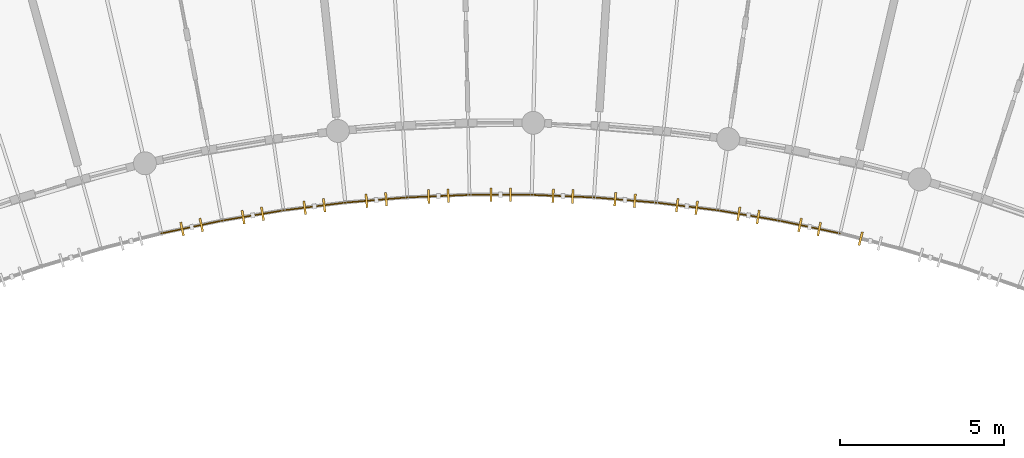
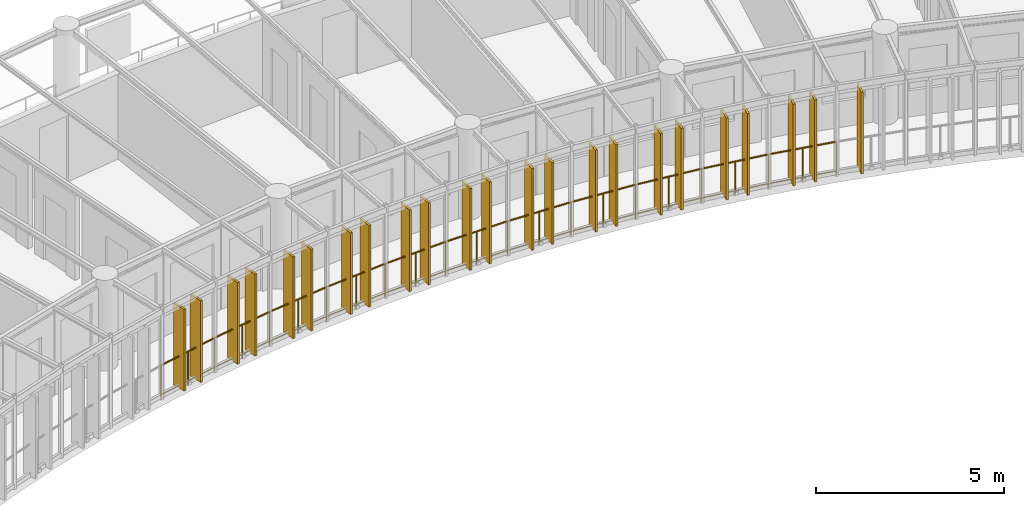
# One storey, part 132 of 137: 23 shading devices, 11 railings.
"""IFC4 building model written with IfcOpenShell, lengths in metres."""

import ifcopenshell
import ifcopenshell.guid

model = None  # the IFC model being written
_history = None  # IfcOwnerHistory: only IFC2X3 demands one
_inside = {}  # id of a spatial element -> (the spatial element, [elements in it])
_under = {}  # id of a project, library or spatial element -> (it, [spatial elements below it])
_declared = {}  # id of a project -> (the project, [libraries it declares])
_typed = {}  # id of a type object -> (the type object, [elements of that type])
_made_of = {}  # id of a material, layer set ... -> (it, [elements and type objects made of it])


def new_model(schema):
    """Start an empty IFC model of exactly this schema.

    Asked for "IFC4X3", IfcOpenShell would pick the latest addendum, in which some entities
    have other attributes; the version numbers below select the first issue.
    IFC2X3 requires an IfcOwnerHistory on every rooted entity: one is made here for all.
    """
    global model, _history
    if schema == "IFC4X3":
        model = ifcopenshell.file(schema_version=(4, 3, 0, 0))
    else:
        model = ifcopenshell.file(schema=schema)
    _inside.clear()
    _under.clear()
    _declared.clear()
    _typed.clear()
    _made_of.clear()
    _history = None
    if model.schema == "IFC2X3":
        org = make("IfcOrganization", Name="unknown")
        user = make(
            "IfcPersonAndOrganization",
            ThePerson=make("IfcPerson", FamilyName="unknown"),
            TheOrganization=org,
        )
        app = make(
            "IfcApplication",
            ApplicationDeveloper=org,
            Version="unknown",
            ApplicationFullName="unknown",
            ApplicationIdentifier="unknown",
        )
        _history = make(
            "IfcOwnerHistory",
            OwningUser=user,
            OwningApplication=app,
            ChangeAction="ADDED",
            CreationDate=0,
        )
    return model


def make(cls, **values):
    """One entity of the class cls with the attributes given. An attribute that is None is left unset."""
    return model.create_entity(
        cls, **{name: value for name, value in values.items() if value is not None}
    )


def rooted(cls, **values):
    """An entity with a GlobalId (a new one), such as an element, a storey or a relation."""
    return make(cls, GlobalId=ifcopenshell.guid.new(), OwnerHistory=_history, **values)


def si_unit(unit_type, name, prefix=None):
    """IfcSIUnit, for example si_unit("LENGTHUNIT", "METRE", prefix="MILLI")."""
    return make("IfcSIUnit", UnitType=unit_type, Prefix=prefix, Name=name)


def assignment(units):
    """IfcUnitAssignment: the units of a project."""
    return None if units is None else make("IfcUnitAssignment", Units=units)


def point(xyz):
    """IfcCartesianPoint."""
    return None if xyz is None else make("IfcCartesianPoint", Coordinates=xyz)


def direction(xyz):
    """IfcDirection."""
    return None if xyz is None else make("IfcDirection", DirectionRatios=xyz)


def frame(location, z_axis=None, x_axis=None):
    """IfcAxis2Placement3D, a coordinate frame: its origin and axes. An axis left out is left unset."""
    return make(
        "IfcAxis2Placement3D",
        Location=point(location),
        Axis=direction(z_axis),
        RefDirection=direction(x_axis),
    )


def frame_2d(location, x_axis=None):
    """IfcAxis2Placement2D, a coordinate frame in the plane: its origin and x axis."""
    return make(
        "IfcAxis2Placement2D", Location=point(location), RefDirection=direction(x_axis)
    )


def origin():
    """The frame at (0, 0, 0) with its axes left unset."""
    return frame((0.0, 0.0, 0.0))


def origin_2d():
    """The frame at (0, 0) in the plane with its x axis left unset."""
    return frame_2d((0.0, 0.0))


def place(relative_to, where):
    """IfcLocalPlacement: puts the frame where relative to a parent placement (None: the world)."""
    return make(
        "IfcLocalPlacement", PlacementRelTo=relative_to, RelativePlacement=where
    )


def context(
    kind, dimensions, precision=None, world=None, true_north=None, identifier=None
):
    """IfcGeometricRepresentationContext, for example the 3D "Model" context."""
    return make(
        "IfcGeometricRepresentationContext",
        ContextIdentifier=identifier,
        ContextType=kind,
        CoordinateSpaceDimension=dimensions,
        Precision=precision,
        WorldCoordinateSystem=world,
        TrueNorth=true_north,
    )


def subcontext(parent, identifier, kind, view, scale=None):
    """IfcGeometricRepresentationSubContext, for example "Body" below "Model"."""
    return make(
        "IfcGeometricRepresentationSubContext",
        ContextIdentifier=identifier,
        ContextType=kind,
        ParentContext=parent,
        TargetScale=scale,
        TargetView=view,
    )


def project(units=None, contexts=None):
    """IfcProject with its units and contexts."""
    return rooted(
        "IfcProject",
        Name="project",
        RepresentationContexts=contexts,
        UnitsInContext=assignment(units),
    )


def spatial(cls, under=None, at=None, **own):
    """A site, building, storey or space (cls), placed at a placement, below another one or the project."""
    s = rooted(cls, ObjectPlacement=at, **own)
    if under is not None:
        _under.setdefault(under.id(), (under, []))[1].append(s)
    return s


def profile(cls, at=None, kind="AREA", **sizes):
    """A parametric profile (cls). Its sizes go by their IFC names, for example OverallWidth=200.0."""
    return make(cls, ProfileType=kind, Position=at, **sizes)


def rectangle(**sizes):
    """IfcRectangleProfileDef."""
    return profile("IfcRectangleProfileDef", **sizes)


def circle(**sizes):
    """IfcCircleProfileDef."""
    return profile("IfcCircleProfileDef", **sizes)


def extrude(swept, where, along, depth):
    """IfcExtrudedAreaSolid: the profile swept, set in the frame where, extruded along a direction by depth."""
    return make(
        "IfcExtrudedAreaSolid",
        SweptArea=swept,
        Position=where,
        ExtrudedDirection=direction(along),
        Depth=depth,
    )


def shape(context_of_items, identifier, shape_type, items):
    """IfcShapeRepresentation: the items that make up one representation, for example the "Body"."""
    return make(
        "IfcShapeRepresentation",
        ContextOfItems=context_of_items,
        RepresentationIdentifier=identifier,
        RepresentationType=shape_type,
        Items=items,
    )


def material(Name=None, Category=None):
    """IfcMaterial."""
    return make("IfcMaterial", Name=Name, Category=Category)


def layer(
    of_material, thickness, ventilated=None, Name=None, Category=None, Priority=None
):
    """IfcMaterialLayer: one layer of a wall or slab, of a material (None: an air gap)."""
    return make(
        "IfcMaterialLayer",
        Material=of_material,
        LayerThickness=thickness,
        IsVentilated=ventilated,
        Name=Name,
        Category=Category,
        Priority=Priority,
    )


def layer_set(layers, Name=None):
    """IfcMaterialLayerSet."""
    return make("IfcMaterialLayerSet", MaterialLayers=layers, LayerSetName=Name)


def made_of(thing, what):
    """Note that an element or type object is made of a material, layer set ...; save() writes the relation."""
    if what is not None:
        _made_of.setdefault(what.id(), (what, []))[1].append(thing)
    return thing


def type_object(cls, material=None, **own):
    """A type object (cls), such as IfcWallType, which elements share."""
    return made_of(rooted(cls, **own), material)


def element(
    cls,
    number,
    at=None,
    inside=None,
    cuts=None,
    type_object=None,
    material=None,
    context=None,
    identifier="Body",
    shape_type=None,
    held_by="IfcProductDefinitionShape",
    body=None,
    shapes=None,
    **own,
):
    """One element of the class cls, such as IfcWall. Its Tag is "e" and its number.

    at: its placement. inside: the storey or other place that contains it. cuts: it is an
    opening in that element (IfcRelVoidsElement). A single representation is given by context,
    identifier, shape_type and body (its items); several are given by shapes. held_by: the class
    of the entity that holds the representations. save() writes the other relations.
    """
    e = rooted(cls, Tag="e%d" % number, ObjectPlacement=at, **own)
    if body is not None:
        shapes = [shape(context, identifier, shape_type, body)]
    if shapes is not None:
        e.Representation = make(held_by, Representations=shapes)
    if inside is not None:
        _inside.setdefault(inside.id(), (inside, []))[1].append(e)
    if cuts is not None:
        rooted(
            "IfcRelVoidsElement", RelatingBuildingElement=cuts, RelatedOpeningElement=e
        )
    if type_object is not None:
        _typed.setdefault(type_object.id(), (type_object, []))[1].append(e)
    return made_of(e, material)


def aggregate(whole, parts):
    """IfcRelAggregates: a whole, such as a stair, and the parts it consists of."""
    return rooted("IfcRelAggregates", RelatingObject=whole, RelatedObjects=parts)


def save(model, path):
    """Write the relations noted so far, then the file.

    IfcRelAggregates (storeys below a building ...), IfcRelContainedInSpatialStructure (elements
    in a storey), IfcRelDefinesByType, IfcRelAssociatesMaterial and IfcRelDeclares: one each for
    every whole, place, type object, material and project.
    """
    for whole, parts in _under.values():
        aggregate(whole, parts)
    for where, things in _inside.values():
        rooted(
            "IfcRelContainedInSpatialStructure",
            RelatedElements=things,
            RelatingStructure=where,
        )
    for kind, things in _typed.values():
        rooted("IfcRelDefinesByType", RelatedObjects=things, RelatingType=kind)
    for what, things in _made_of.values():
        rooted("IfcRelAssociatesMaterial", RelatedObjects=things, RelatingMaterial=what)
    for by, libraries in _declared.values():
        rooted("IfcRelDeclares", RelatingContext=by, RelatedDefinitions=libraries)
    model.write(path)


model = new_model("IFC4")

# Units and contexts
model_context = context("Model", 3, precision=1e-05, world=origin(), true_north=direction((0.0, 1.0)))
body_context = subcontext(model_context, "Body", "Model", "MODEL_VIEW")
ifc_project = project(units=[si_unit("LENGTHUNIT", "METRE"), si_unit("AREAUNIT", "SQUARE_METRE"), si_unit("VOLUMEUNIT", "CUBIC_METRE"), si_unit("PLANEANGLEUNIT", "RADIAN"), si_unit("MASSUNIT", "GRAM", prefix="KILO"), si_unit("POWERUNIT", "WATT"), si_unit("THERMODYNAMICTEMPERATUREUNIT", "KELVIN")], contexts=[model_context])

# Site, building, storey
site_placement = place(None, origin())
site = spatial("IfcSite", under=ifc_project, at=site_placement, CompositionType="ELEMENT")
building_placement = place(site_placement, origin())
building = spatial("IfcBuilding", under=site, at=building_placement, Name="Ruvembo Vaulted Housing Court", CompositionType="ELEMENT")
storey_placement = place(building_placement, frame((0.0, 0.0, 4.5)))
storey = spatial("IfcBuildingStorey", under=building, at=storey_placement, Name="L01", CompositionType="ELEMENT", Elevation=4.5)

# Railings
ifc_material_1 = material(Name="Galvanised Painted Steel S275", Category="steel")
ifc_layer = layer(ifc_material_1, 0.06005859375, Name="Galvanised Painted Steel S275")
ifc_layer_set = layer_set([ifc_layer], Name="Galvanised Painted Steel S275")
railing_type = type_object("IfcRailingType", Name="RL-GUARD-1100", PredefinedType="GUARDRAIL", material=ifc_layer_set)
railing_1_placement = place(storey_placement, frame((106.634033203125, 94.611572265625, 0.0)))
element("IfcRailing", 1, at=railing_1_placement, inside=storey, type_object=railing_type, Name="L01 Perimeter Guard RL-EXT-L01-0564", PredefinedType="GUARDRAIL", context=body_context, shape_type="SweptSolid", body=[
    extrude(circle(Radius=0.02392578125, at=origin_2d()), frame((0.0, 0.0, 1.076171875), z_axis=(0.978529342624, 0.206107558387, 0.0), x_axis=(-0.206107558387, 0.978529342624, 0.0)), (0.0, 0.0, 1.0), 1.901123046875),
    extrude(circle(Radius=0.01806640625, at=origin_2d()), frame((0.0, 0.0, 0.1201171875), z_axis=(0.978529342624, 0.206107558387, 0.0), x_axis=(-0.206107558387, 0.978529342624, 0.0)), (0.0, 0.0, 1.0), 1.901123046875),
    extrude(circle(Radius=0.02099609375, at=origin_2d()), origin(), (0.0, 0.0, 1.0), 1.052001953125),
    extrude(circle(Radius=0.02099609375, at=origin_2d()), frame((0.93017578125, 0.19580078125, 0.0)), (0.0, 0.0, 1.0), 1.052001953125),
    extrude(circle(Radius=0.02099609375, at=origin_2d()), frame((1.8603515625, 0.391845703125, 0.0)), (0.0, 0.0, 1.0), 1.052001953125),
])
railing_2_placement = place(storey_placement, frame((108.494384765625, 95.00341796875, 0.0)))
element("IfcRailing", 2, at=railing_2_placement, inside=storey, type_object=railing_type, Name="L01 Perimeter Guard RL-EXT-L01-0565", PredefinedType="GUARDRAIL", context=body_context, shape_type="SweptSolid", body=[
    extrude(circle(Radius=0.02392578125, at=origin_2d()), frame((0.0, 0.0, 1.076171875), z_axis=(0.986265186139, 0.165169557153, 0.0), x_axis=(-0.165169557153, 0.986265186139, 0.0)), (0.0, 0.0, 1.0), 1.90087890625),
    extrude(circle(Radius=0.01806640625, at=origin_2d()), frame((0.0, 0.0, 0.1201171875), z_axis=(0.986265186139, 0.165169557153, 0.0), x_axis=(-0.165169557153, 0.986265186139, 0.0)), (0.0, 0.0, 1.0), 1.90087890625),
    extrude(circle(Radius=0.02099609375, at=origin_2d()), origin(), (0.0, 0.0, 1.0), 1.052001953125),
    extrude(circle(Radius=0.02099609375, at=origin_2d()), frame((0.9375, 0.156982421875, 0.0)), (0.0, 0.0, 1.0), 1.052001953125),
    extrude(circle(Radius=0.02099609375, at=origin_2d()), frame((1.874755859375, 0.31396484375, 0.0)), (0.0, 0.0, 1.0), 1.052001953125),
])
railing_3_placement = place(storey_placement, frame((110.369140625, 95.3173828125, 0.0)))
element("IfcRailing", 3, at=railing_3_placement, inside=storey, type_object=railing_type, Name="L01 Perimeter Guard RL-EXT-L01-0566", PredefinedType="GUARDRAIL", context=body_context, shape_type="SweptSolid", body=[
    extrude(circle(Radius=0.02392578125, at=origin_2d()), frame((0.0, 0.0, 1.076171875), z_axis=(0.992244255502, 0.124303408739, 0.0), x_axis=(-0.124303408739, 0.992244255502, 0.0)), (0.0, 0.0, 1.0), 1.901123046875),
    extrude(circle(Radius=0.01806640625, at=origin_2d()), frame((0.0, 0.0, 0.1201171875), z_axis=(0.992244255502, 0.124303408739, 0.0), x_axis=(-0.124303408739, 0.992244255502, 0.0)), (0.0, 0.0, 1.0), 1.901123046875),
    extrude(circle(Radius=0.02099609375, at=origin_2d()), origin(), (0.0, 0.0, 1.0), 1.052001953125),
    extrude(circle(Radius=0.02099609375, at=origin_2d()), frame((0.943359375, 0.1181640625, 0.0)), (0.0, 0.0, 1.0), 1.052001953125),
    extrude(circle(Radius=0.02099609375, at=origin_2d()), frame((1.886474609375, 0.236328125, 0.0)), (0.0, 0.0, 1.0), 1.052001953125),
])
railing_4_placement = place(storey_placement, frame((112.255615234375, 95.5537109375, 0.0)))
element("IfcRailing", 4, at=railing_4_placement, inside=storey, type_object=railing_type, Name="L01 Perimeter Guard RL-EXT-L01-0567", PredefinedType="GUARDRAIL", context=body_context, shape_type="SweptSolid", body=[
    extrude(circle(Radius=0.02392578125, at=origin_2d()), frame((0.0, 0.0, 1.076171875), z_axis=(0.99656344911, 0.082832915551, 0.0), x_axis=(-0.082832915551, 0.99656344911, 0.0)), (0.0, 0.0, 1.0), 1.901123046875),
    extrude(circle(Radius=0.01806640625, at=origin_2d()), frame((0.0, 0.0, 0.1201171875), z_axis=(0.99656344911, 0.082832915551, 0.0), x_axis=(-0.082832915551, 0.99656344911, 0.0)), (0.0, 0.0, 1.0), 1.901123046875),
    extrude(circle(Radius=0.02099609375, at=origin_2d()), origin(), (0.0, 0.0, 1.0), 1.052001953125),
    extrude(circle(Radius=0.02099609375, at=origin_2d()), frame((0.947265625, 0.07861328125, 0.0)), (0.0, 0.0, 1.0), 1.052001953125),
    extrude(circle(Radius=0.02099609375, at=origin_2d()), frame((1.89453125, 0.157470703125, 0.0)), (0.0, 0.0, 1.0), 1.052001953125),
])
railing_5_placement = place(storey_placement, frame((114.150146484375, 95.711181640625, 0.0)))
element("IfcRailing", 5, at=railing_5_placement, inside=storey, type_object=railing_type, Name="L01 Perimeter Guard RL-EXT-L01-0568", PredefinedType="GUARDRAIL", context=body_context, shape_type="SweptSolid", body=[
    extrude(circle(Radius=0.02392578125, at=origin_2d()), frame((0.0, 0.0, 1.076171875), z_axis=(0.999139293915, 0.041480975827, 0.0), x_axis=(-0.041480975827, 0.999139293915, 0.0)), (0.0, 0.0, 1.0), 1.901123046875),
    extrude(circle(Radius=0.01806640625, at=origin_2d()), frame((0.0, 0.0, 0.1201171875), z_axis=(0.999139293915, 0.041480975827, 0.0), x_axis=(-0.041480975827, 0.999139293915, 0.0)), (0.0, 0.0, 1.0), 1.901123046875),
    extrude(circle(Radius=0.02099609375, at=origin_2d()), origin(), (0.0, 0.0, 1.0), 1.052001953125),
    extrude(circle(Radius=0.02099609375, at=origin_2d()), frame((0.94970703125, 0.03955078125, 0.0)), (0.0, 0.0, 1.0), 1.052001953125),
    extrude(circle(Radius=0.02099609375, at=origin_2d()), frame((1.8994140625, 0.078857421875, 0.0)), (0.0, 0.0, 1.0), 1.052001953125),
])
railing_6_placement = place(storey_placement, frame((116.049560546875, 95.7900390625, 0.0)))
element("IfcRailing", 6, at=railing_6_placement, inside=storey, type_object=railing_type, Name="L01 Perimeter Guard RL-EXT-L01-0569", PredefinedType="GUARDRAIL", context=body_context, shape_type="SweptSolid", body=[
    extrude(circle(Radius=0.02392578125, at=origin_2d()), frame((0.0, 0.0, 1.076171875), z_axis=(1.0, 0.0, 0.0), x_axis=(0.0, 1.0, 0.0)), (0.0, 0.0, 1.0), 1.90087890625),
    extrude(circle(Radius=0.01806640625, at=origin_2d()), frame((0.0, 0.0, 0.1201171875), z_axis=(1.0, 0.0, 0.0), x_axis=(0.0, 1.0, 0.0)), (0.0, 0.0, 1.0), 1.90087890625),
    extrude(circle(Radius=0.02099609375, at=origin_2d()), origin(), (0.0, 0.0, 1.0), 1.052001953125),
    extrude(circle(Radius=0.02099609375, at=origin_2d()), frame((0.950439453125, 0.0, 0.0)), (0.0, 0.0, 1.0), 1.052001953125),
    extrude(circle(Radius=0.02099609375, at=origin_2d()), frame((1.90087890625, 0.0, 0.0)), (0.0, 0.0, 1.0), 1.052001953125),
])
railing_7_placement = place(storey_placement, frame((117.950439453125, 95.7900390625, 0.0)))
element("IfcRailing", 7, at=railing_7_placement, inside=storey, type_object=railing_type, Name="L01 Perimeter Guard RL-EXT-L01-0570", PredefinedType="GUARDRAIL", context=body_context, shape_type="SweptSolid", body=[
    extrude(circle(Radius=0.02392578125, at=origin_2d()), frame((0.0, 0.0, 1.076171875), z_axis=(0.999139293915, -0.041480975827, 0.0), x_axis=(0.041480975827, 0.999139293915, 0.0)), (0.0, 0.0, 1.0), 1.901123046875),
    extrude(circle(Radius=0.01806640625, at=origin_2d()), frame((0.0, 0.0, 0.1201171875), z_axis=(0.999139293915, -0.041480975827, 0.0), x_axis=(0.041480975827, 0.999139293915, 0.0)), (0.0, 0.0, 1.0), 1.901123046875),
    extrude(circle(Radius=0.02099609375, at=origin_2d()), origin(), (0.0, 0.0, 1.0), 1.052001953125),
    extrude(circle(Radius=0.02099609375, at=origin_2d()), frame((0.94970703125, -0.03955078125, 0.0)), (0.0, 0.0, 1.0), 1.052001953125),
    extrude(circle(Radius=0.02099609375, at=origin_2d()), frame((1.8994140625, -0.078857421875, 0.0)), (0.0, 0.0, 1.0), 1.052001953125),
])
railing_8_placement = place(storey_placement, frame((119.849853515625, 95.711181640625, 0.0)))
element("IfcRailing", 8, at=railing_8_placement, inside=storey, type_object=railing_type, Name="L01 Perimeter Guard RL-EXT-L01-0571", PredefinedType="GUARDRAIL", context=body_context, shape_type="SweptSolid", body=[
    extrude(circle(Radius=0.02392578125, at=origin_2d()), frame((0.0, 0.0, 1.076171875), z_axis=(0.99656344911, -0.082832915551, 0.0), x_axis=(0.082832915551, 0.99656344911, 0.0)), (0.0, 0.0, 1.0), 1.901123046875),
    extrude(circle(Radius=0.01806640625, at=origin_2d()), frame((0.0, 0.0, 0.1201171875), z_axis=(0.99656344911, -0.082832915551, 0.0), x_axis=(0.082832915551, 0.99656344911, 0.0)), (0.0, 0.0, 1.0), 1.901123046875),
    extrude(circle(Radius=0.02099609375, at=origin_2d()), origin(), (0.0, 0.0, 1.0), 1.052001953125),
    extrude(circle(Radius=0.02099609375, at=origin_2d()), frame((0.947265625, -0.07861328125, 0.0)), (0.0, 0.0, 1.0), 1.052001953125),
    extrude(circle(Radius=0.02099609375, at=origin_2d()), frame((1.89453125, -0.157470703125, 0.0)), (0.0, 0.0, 1.0), 1.052001953125),
])
railing_9_placement = place(storey_placement, frame((121.744384765625, 95.5537109375, 0.0)))
element("IfcRailing", 9, at=railing_9_placement, inside=storey, type_object=railing_type, Name="L01 Perimeter Guard RL-EXT-L01-0572", PredefinedType="GUARDRAIL", context=body_context, shape_type="SweptSolid", body=[
    extrude(circle(Radius=0.02392578125, at=origin_2d()), frame((0.0, 0.0, 1.076171875), z_axis=(0.992244255502, -0.124303408739, 0.0), x_axis=(0.124303408739, 0.992244255502, 0.0)), (0.0, 0.0, 1.0), 1.901123046875),
    extrude(circle(Radius=0.01806640625, at=origin_2d()), frame((0.0, 0.0, 0.1201171875), z_axis=(0.992244255502, -0.124303408739, 0.0), x_axis=(0.124303408739, 0.992244255502, 0.0)), (0.0, 0.0, 1.0), 1.901123046875),
    extrude(circle(Radius=0.02099609375, at=origin_2d()), origin(), (0.0, 0.0, 1.0), 1.052001953125),
    extrude(circle(Radius=0.02099609375, at=origin_2d()), frame((0.943359375, -0.1181640625, 0.0)), (0.0, 0.0, 1.0), 1.052001953125),
    extrude(circle(Radius=0.02099609375, at=origin_2d()), frame((1.886474609375, -0.236328125, 0.0)), (0.0, 0.0, 1.0), 1.052001953125),
])
railing_10_placement = place(storey_placement, frame((123.630859375, 95.3173828125, 0.0)))
element("IfcRailing", 10, at=railing_10_placement, inside=storey, type_object=railing_type, Name="L01 Perimeter Guard RL-EXT-L01-0573", PredefinedType="GUARDRAIL", context=body_context, shape_type="SweptSolid", body=[
    extrude(circle(Radius=0.02392578125, at=origin_2d()), frame((0.0, 0.0, 1.076171875), z_axis=(0.986265186139, -0.165169557153, 0.0), x_axis=(0.165169557153, 0.986265186139, 0.0)), (0.0, 0.0, 1.0), 1.90087890625),
    extrude(circle(Radius=0.01806640625, at=origin_2d()), frame((0.0, 0.0, 0.1201171875), z_axis=(0.986265186139, -0.165169557153, 0.0), x_axis=(0.165169557153, 0.986265186139, 0.0)), (0.0, 0.0, 1.0), 1.90087890625),
    extrude(circle(Radius=0.02099609375, at=origin_2d()), origin(), (0.0, 0.0, 1.0), 1.052001953125),
    extrude(circle(Radius=0.02099609375, at=origin_2d()), frame((0.9375, -0.156982421875, 0.0)), (0.0, 0.0, 1.0), 1.052001953125),
    extrude(circle(Radius=0.02099609375, at=origin_2d()), frame((1.874755859375, -0.31396484375, 0.0)), (0.0, 0.0, 1.0), 1.052001953125),
])
railing_11_placement = place(storey_placement, frame((125.505615234375, 95.00341796875, 0.0)))
element("IfcRailing", 11, at=railing_11_placement, inside=storey, type_object=railing_type, Name="L01 Perimeter Guard RL-EXT-L01-0574", PredefinedType="GUARDRAIL", context=body_context, shape_type="SweptSolid", body=[
    extrude(circle(Radius=0.02392578125, at=origin_2d()), frame((0.0, 0.0, 1.076171875), z_axis=(0.978529342624, -0.206107558387, 0.0), x_axis=(0.206107558387, 0.978529342624, 0.0)), (0.0, 0.0, 1.0), 1.901123046875),
    extrude(circle(Radius=0.01806640625, at=origin_2d()), frame((0.0, 0.0, 0.1201171875), z_axis=(0.978529342624, -0.206107558387, 0.0), x_axis=(0.206107558387, 0.978529342624, 0.0)), (0.0, 0.0, 1.0), 1.901123046875),
    extrude(circle(Radius=0.02099609375, at=origin_2d()), origin(), (0.0, 0.0, 1.0), 1.052001953125),
    extrude(circle(Radius=0.02099609375, at=origin_2d()), frame((0.93017578125, -0.19580078125, 0.0)), (0.0, 0.0, 1.0), 1.052001953125),
    extrude(circle(Radius=0.02099609375, at=origin_2d()), frame((1.8603515625, -0.391845703125, 0.0)), (0.0, 0.0, 1.0), 1.052001953125),
])

# Shading devices
ifc_material_2 = material(Name="Kiln-Fired Terracotta Extrusion", Category="masonry")
shading_device_type = type_object("IfcShadingDeviceType", Name="SHD-FIN-420", PredefinedType="USERDEFINED", material=ifc_material_2)
for number, where, z_axis, x_axis, name in (
    (12, (107.2705078125, 94.74560546875, 0.0498046875), (0.0, 0.0, 1.0), (0.206101715045, -0.978530573388, 0.0), "Terracotta Brise-Soleil Fin #489"),
    (13, (107.85791015625, 94.869140625, 0.0498046875), (0.0, 0.0, 1.0), (0.206101715045, -0.978530573388, 0.0), "Terracotta Brise-Soleil Fin #490"),
    (14, (109.135986328125, 95.11083984375, 0.0498046875), (0.0, 0.0, 1.0), (0.165271382715, -0.986248128037, 0.0), "Terracotta Brise-Soleil Fin #491"),
    (15, (109.7275390625, 95.2099609375, 0.0498046875), (0.0, 0.0, 1.0), (0.165271382715, -0.986248128037, 0.0), "Terracotta Brise-Soleil Fin #492"),
    (16, (111.0146484375, 95.398193359375, 0.0498046875), (0.0, 0.0, 1.0), (0.12419031657, -0.992258416578, 0.0), "Terracotta Brise-Soleil Fin #493"),
    (17, (111.610107421875, 95.472900390625, 0.0498046875), (0.0, 0.0, 1.0), (0.12419031657, -0.992258416578, 0.0), "Terracotta Brise-Soleil Fin #494"),
    (18, (112.90380859375, 95.607421875, 0.0498046875), (0.0, 0.0, 1.0), (0.082895173943, -0.996558272324, 0.0), "Terracotta Brise-Soleil Fin #495"),
    (19, (113.501708984375, 95.6572265625, 0.0498046875), (0.0, 0.0, 1.0), (0.082895173943, -0.996558272324, 0.0), "Terracotta Brise-Soleil Fin #496"),
    (20, (114.800048828125, 95.73828125, 0.0498046875), (0.0, 0.0, 1.0), (0.041509453281, -0.999138111218, 0.0), "Terracotta Brise-Soleil Fin #497"),
    (21, (115.3994140625, 95.76318359375, 0.0498046875), (0.0, 0.0, 1.0), (0.041509453281, -0.999138111218, 0.0), "Terracotta Brise-Soleil Fin #498"),
    (22, (116.699951171875, 95.7900390625, 0.0498046875), (0.0, 0.0, 1.0), (0.0, -1.0, 0.0), "Terracotta Brise-Soleil Fin #499"),
    (23, (117.300048828125, 95.7900390625, 0.0498046875), (0.0, 0.0, 1.0), (0.0, -1.0, 0.0), "Terracotta Brise-Soleil Fin #500"),
    (24, (118.6005859375, 95.76318359375, 0.0498046875), (0.0, 0.0, 1.0), (-0.041509453281, -0.999138111218, 0.0), "Terracotta Brise-Soleil Fin #501"),
    (25, (119.199951171875, 95.73828125, 0.0498046875), (0.0, 0.0, 1.0), (-0.041509453281, -0.999138111218, 0.0), "Terracotta Brise-Soleil Fin #502"),
    (26, (120.498291015625, 95.6572265625, 0.0498046875), (0.0, 0.0, 1.0), (-0.082895173943, -0.996558272324, 0.0), "Terracotta Brise-Soleil Fin #503"),
    (27, (121.09619140625, 95.607421875, 0.0498046875), (0.0, 0.0, 1.0), (-0.082895173943, -0.996558272324, 0.0), "Terracotta Brise-Soleil Fin #504"),
    (28, (122.389892578125, 95.472900390625, 0.0498046875), (0.0, 0.0, 1.0), (-0.12419031657, -0.992258416578, 0.0), "Terracotta Brise-Soleil Fin #505"),
    (29, (122.9853515625, 95.398193359375, 0.0498046875), (0.0, 0.0, 1.0), (-0.12419031657, -0.992258416578, 0.0), "Terracotta Brise-Soleil Fin #506"),
    (30, (124.2724609375, 95.2099609375, 0.0498046875), (0.0, 0.0, 1.0), (-0.165271382715, -0.986248128037, 0.0), "Terracotta Brise-Soleil Fin #507"),
    (31, (124.864013671875, 95.11083984375, 0.0498046875), (0.0, 0.0, 1.0), (-0.165271382715, -0.986248128037, 0.0), "Terracotta Brise-Soleil Fin #508"),
    (32, (126.14208984375, 94.869140625, 0.0498046875), (0.0, 0.0, 1.0), (-0.206101715045, -0.978530573388, 0.0), "Terracotta Brise-Soleil Fin #509"),
    (33, (126.7294921875, 94.74560546875, 0.0498046875), (0.0, 0.0, 1.0), (-0.206101715045, -0.978530573388, 0.0), "Terracotta Brise-Soleil Fin #510"),
    (34, (127.996337890625, 94.451171875, 0.0498046875), (0.0, 0.0, 1.0), (-0.246491603437, -0.969144926951, 0.0), "Terracotta Brise-Soleil Fin #511"),
):
    element("IfcShadingDevice", number, at=place(storey_placement, frame(where, z_axis=z_axis, x_axis=x_axis)), inside=storey, type_object=shading_device_type, Name=name, ObjectType="FIN", PredefinedType="USERDEFINED", context=body_context, shape_type="SweptSolid", body=[
        extrude(rectangle(XDim=0.419921875, YDim=0.06494140625, at=origin_2d()), origin(), (0.0, 0.0, 1.0), 2.653076171875),
    ])

save(model, "model.ifc")
